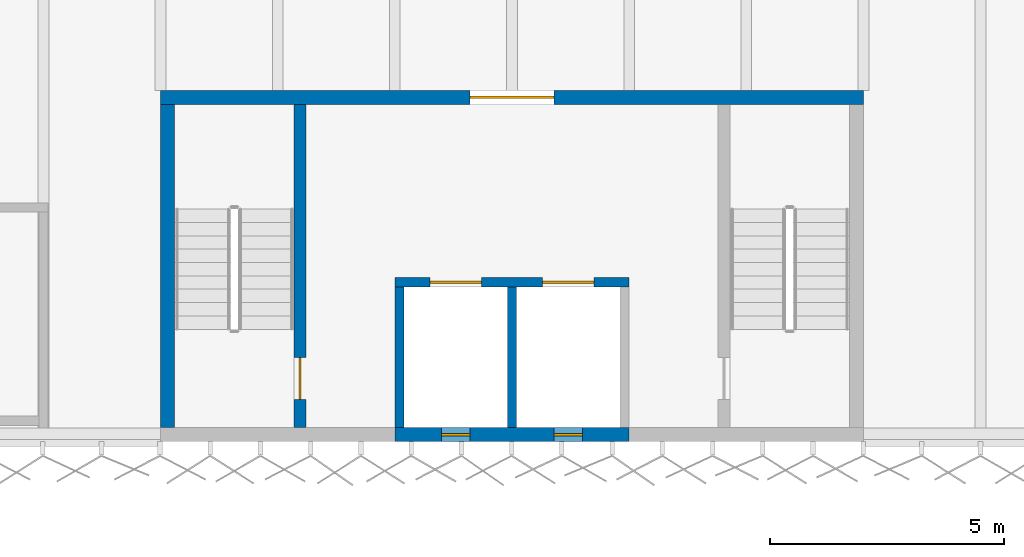
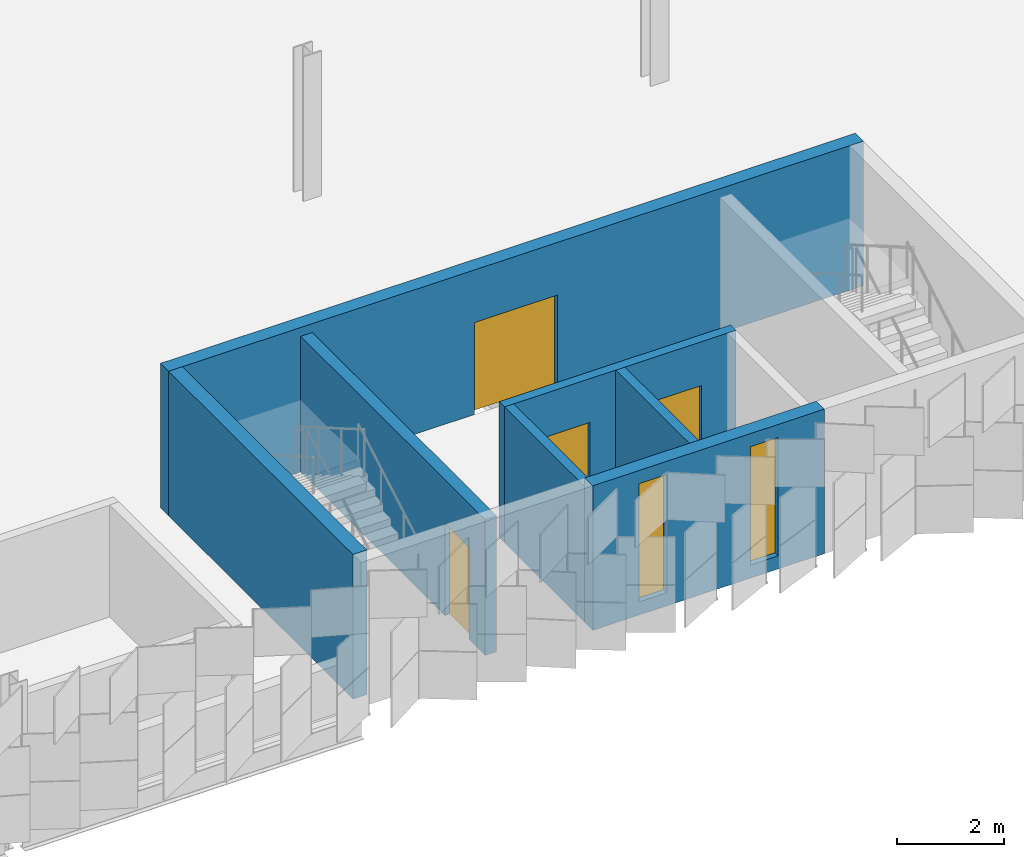
# One storey, part 51 of 198: 7 walls, 4 doors, 2 windows, 6 openings.
"""IFC4 building model written with IfcOpenShell, lengths in metres."""

from ifc_helpers import new_model, si_unit, direction, frame, frame_2d, origin, place, context, subcontext, project, spatial, rectangle, extrude, material, layer, layer_set, type_object, element, fill, save


model = new_model("IFC4")

# Units and contexts
model_context = context("Model", 3, precision=1e-05, world=origin(), true_north=direction((0.0, 1.0)))
body_context = subcontext(model_context, "Body", "Model", "MODEL_VIEW")
ifc_project = project(units=[si_unit("LENGTHUNIT", "METRE"), si_unit("AREAUNIT", "SQUARE_METRE"), si_unit("VOLUMEUNIT", "CUBIC_METRE"), si_unit("PLANEANGLEUNIT", "RADIAN"), si_unit("MASSUNIT", "GRAM", prefix="KILO")], contexts=[model_context])

# Site, building, storey
site_placement = place(None, origin())
site = spatial("IfcSite", under=ifc_project, at=site_placement, CompositionType="ELEMENT")
building_placement = place(site_placement, origin())
building = spatial("IfcBuilding", under=site, at=building_placement, Name="Parallax Yard Mobility Hub", CompositionType="ELEMENT")
storey_placement = place(building_placement, frame((0.0, 0.0, 6.60009765625)))
storey = spatial("IfcBuildingStorey", under=building, at=storey_placement, Name="L02", CompositionType="ELEMENT", Elevation=6.60009765625)

# Wall, opening, door
ifc_material_1 = material(Name="Concrete fc' 35 MPa", Category="concrete")
ifc_layer_1 = layer(ifc_material_1, 0.300048828125)
ifc_layer_set_1 = layer_set([ifc_layer_1], Name="Concrete fc' 35 MPa core wall 300")
wall_type_1 = type_object("IfcWallType", Name="Concrete fc' 35 MPa core wall 300", PredefinedType="SHEAR", material=ifc_layer_set_1)
wall_1_placement = place(storey_placement, frame((127.5, 119.85009765625, 0.0), z_axis=(0.0, 0.0, 1.0), x_axis=(1.0, 0.0, 0.0)))
wall_1 = element("IfcWall", 1, at=wall_1_placement, inside=storey, type_object=wall_type_1, Name="Core C-N2 entry wall level L02", PredefinedType="SHEAR", context=body_context, shape_type="SweptSolid", body=[
    extrude(rectangle(XDim=15.0, YDim=0.300048828125, at=frame_2d((7.5, 0.0))), origin(), (0.0, 0.0, 1.0), 3.2998046875),
])
opening_1_placement = place(wall_1_placement, frame((6.60009765625, 0.0, 0.0)))
opening_1 = element("IfcOpeningElement", 2, at=opening_1_placement, cuts=wall_1, Name="Opening L02-D714", PredefinedType="OPENING", context=body_context, shape_type="SweptSolid", body=[
    extrude(rectangle(XDim=1.800048828125, YDim=2.10009765625, at=frame_2d((0.89990234375, 1.050048828125))), frame((0.0, 0.16015625, 0.0), z_axis=(0.0, -1.0, 0.0), x_axis=(1.0, 0.0, 0.0)), (0.0, 0.0, 1.0), 0.320068359375),
])
ifc_material_2 = material(Name="Hollow metal steel door and frame", Category="steel")
door_type_1 = type_object("IfcDoorType", Name="Core double door 1800 x 2100 FD90", OperationType="NOTDEFINED", PredefinedType="DOOR", material=ifc_material_2)
door_1_placement = place(opening_1_placement, origin())
door_1 = element("IfcDoor", 3, at=door_1_placement, inside=storey, type_object=door_type_1, Name="Lift lobby door L02-D714, core C-N2 level L02", OperationType="DOUBLE_DOOR_SINGLE_SWING", OverallHeight=2.10009765625, OverallWidth=1.800048828125, PredefinedType="DOOR", context=body_context, shape_type="SweptSolid", body=[
    extrude(rectangle(XDim=1.800048828125, YDim=2.10009765625, at=frame_2d((0.89990234375, 1.050048828125))), frame((0.0, 0.02490234375, 0.0), z_axis=(0.0, -1.0, 0.0), x_axis=(1.0, 0.0, 0.0)), (0.0, 0.0, 1.0), 0.050048828125),
])
fill(opening_1, door_1)

# Wall, openings, windows
wall_2_placement = place(storey_placement, frame((137.5, 112.64990234375, 0.0), z_axis=(0.0, 0.0, 1.0), x_axis=(-1.0, 0.0, 0.0)))
wall_2 = element("IfcWall", 4, at=wall_2_placement, inside=storey, type_object=wall_type_1, Name="Core C-N2 back wall part 2 level L02", PredefinedType="SHEAR", context=body_context, shape_type="SweptSolid", body=[
    extrude(rectangle(XDim=5.0, YDim=0.300048828125, at=frame_2d((2.5, 0.0))), origin(), (0.0, 0.0, 1.0), 3.2998046875),
])
opening_2_placement = place(wall_2_placement, frame((1.0, 0.0, 0.300048828125)))
opening_2 = element("IfcOpeningElement", 5, at=opening_2_placement, cuts=wall_2, Name="Opening CW-S1", PredefinedType="OPENING", context=body_context, shape_type="SweptSolid", body=[
    extrude(rectangle(XDim=0.60009765625, YDim=2.699951171875, at=frame_2d((0.300048828125, 1.35009765625))), frame((0.0, 0.16015625, 0.0), z_axis=(0.0, -1.0, 0.0), x_axis=(1.0, 0.0, 0.0)), (0.0, 0.0, 1.0), 0.320068359375),
])
opening_3_placement = place(wall_2_placement, frame((3.39990234375, 0.0, 0.300048828125)))
opening_3 = element("IfcOpeningElement", 6, at=opening_3_placement, cuts=wall_2, Name="Opening CW-S1", PredefinedType="OPENING", context=body_context, shape_type="SweptSolid", body=[
    extrude(rectangle(XDim=0.60009765625, YDim=2.699951171875, at=frame_2d((0.300048828125, 1.35009765625))), frame((0.0, 0.16015625, 0.0), z_axis=(0.0, -1.0, 0.0), x_axis=(1.0, 0.0, 0.0)), (0.0, 0.0, 1.0), 0.320068359375),
])
ifc_material_3 = material(Name="Fire-resisting glazing in a steel frame", Category="steel")
window_type = type_object("IfcWindowType", Name="Core slot window 600 x 2700", PartitioningType="SINGLE_PANEL", PredefinedType="WINDOW", material=ifc_material_3)
window_1_placement = place(opening_2_placement, origin())
window_1 = element("IfcWindow", 7, at=window_1_placement, inside=storey, type_object=window_type, Name="Glazed slot 1, core C-N2 level L02", OverallHeight=2.699951171875, OverallWidth=0.60009765625, PartitioningType="SINGLE_PANEL", PredefinedType="WINDOW", context=body_context, shape_type="SweptSolid", body=[
    extrude(rectangle(XDim=0.60009765625, YDim=2.699951171875, at=frame_2d((0.300048828125, 1.35009765625))), frame((0.0, 0.030029296875, 0.0), z_axis=(0.0, -1.0, 0.0), x_axis=(1.0, 0.0, 0.0)), (0.0, 0.0, 1.0), 0.06005859375),
])
fill(opening_2, window_1)
window_2_placement = place(opening_3_placement, origin())
window_2 = element("IfcWindow", 8, at=window_2_placement, inside=storey, type_object=window_type, Name="Glazed slot 2, core C-N2 level L02", OverallHeight=2.699951171875, OverallWidth=0.60009765625, PartitioningType="SINGLE_PANEL", PredefinedType="WINDOW", context=body_context, shape_type="SweptSolid", body=[
    extrude(rectangle(XDim=0.60009765625, YDim=2.699951171875, at=frame_2d((0.300048828125, 1.35009765625))), frame((0.0, 0.030029296875, 0.0), z_axis=(0.0, -1.0, 0.0), x_axis=(1.0, 0.0, 0.0)), (0.0, 0.0, 1.0), 0.06005859375),
])
fill(opening_3, window_2)

# Wall
wall_3_placement = place(storey_placement, frame((127.64990234375, 119.699951171875, 0.0), z_axis=(0.0, 0.0, 1.0), x_axis=(0.0, -1.0, 0.0)))
element("IfcWall", 9, at=wall_3_placement, inside=storey, type_object=wall_type_1, Name="Core C-N2 east-side end wall level L02", PredefinedType="SHEAR", context=body_context, shape_type="SweptSolid", body=[
    extrude(rectangle(XDim=6.89990234375, YDim=0.300048828125, at=frame_2d((3.449951171875, 0.0))), origin(), (0.0, 0.0, 1.0), 3.2998046875),
])

# Wall, openings, doors
ifc_layer_2 = layer(ifc_material_1, 0.199951171875)
ifc_layer_set_2 = layer_set([ifc_layer_2], Name="Concrete fc' 35 MPa internal core wall 200")
wall_type_2 = type_object("IfcWallType", Name="Concrete fc' 35 MPa internal core wall 200", PredefinedType="STANDARD", material=ifc_layer_set_2)
wall_4_placement = place(storey_placement, frame((137.5, 115.89990234375, 0.0), z_axis=(0.0, 0.0, 1.0), x_axis=(-1.0, 0.0, 0.0)))
wall_4 = element("IfcWall", 10, at=wall_4_placement, inside=storey, type_object=wall_type_2, Name="Core C-N2 lift front 2 part 2 level L02", PredefinedType="STANDARD", context=body_context, shape_type="SweptSolid", body=[
    extrude(rectangle(XDim=5.0, YDim=0.199951171875, at=frame_2d((2.5, 0.0))), origin(), (0.0, 0.0, 1.0), 3.099853515625),
])
opening_4_placement = place(wall_4_placement, frame((0.75, 0.0, 0.0)))
opening_4 = element("IfcOpeningElement", 11, at=opening_4_placement, cuts=wall_4, Name="Opening L02-D717", PredefinedType="OPENING", context=body_context, shape_type="SweptSolid", body=[
    extrude(rectangle(XDim=1.10009765625, YDim=2.10009765625, at=frame_2d((0.550048828125, 1.050048828125))), frame((0.0, 0.10986328125, 0.0), z_axis=(0.0, -1.0, 0.0), x_axis=(1.0, 0.0, 0.0)), (0.0, 0.0, 1.0), 0.219970703125),
])
opening_5_placement = place(wall_4_placement, frame((3.14990234375, 0.0, 0.0)))
opening_5 = element("IfcOpeningElement", 12, at=opening_5_placement, cuts=wall_4, Name="Opening L02-D718", PredefinedType="OPENING", context=body_context, shape_type="SweptSolid", body=[
    extrude(rectangle(XDim=1.10009765625, YDim=2.10009765625, at=frame_2d((0.550048828125, 1.050048828125))), frame((0.0, 0.10986328125, 0.0), z_axis=(0.0, -1.0, 0.0), x_axis=(1.0, 0.0, 0.0)), (0.0, 0.0, 1.0), 0.219970703125),
])
ifc_material_4 = material(Name="Stainless steel sliding door and frame", Category="steel")
door_type_2 = type_object("IfcDoorType", Name="Lift landing door 1100 x 2100 FD90", OperationType="DOUBLE_DOOR_SLIDING", PredefinedType="DOOR", material=ifc_material_4)
door_2_placement = place(opening_4_placement, origin())
door_2 = element("IfcDoor", 13, at=door_2_placement, inside=storey, type_object=door_type_2, Name="Lift landing door L02-D717, core C-N2 level L02", OperationType="DOUBLE_DOOR_SLIDING", OverallHeight=2.10009765625, OverallWidth=1.10009765625, PredefinedType="DOOR", context=body_context, shape_type="SweptSolid", body=[
    extrude(rectangle(XDim=1.10009765625, YDim=2.10009765625, at=frame_2d((0.550048828125, 1.050048828125))), frame((0.0, 0.02490234375, 0.0), z_axis=(0.0, -1.0, 0.0), x_axis=(1.0, 0.0, 0.0)), (0.0, 0.0, 1.0), 0.050048828125),
])
fill(opening_4, door_2)
door_3_placement = place(opening_5_placement, origin())
door_3 = element("IfcDoor", 14, at=door_3_placement, inside=storey, type_object=door_type_2, Name="Lift landing door L02-D718, core C-N2 level L02", OperationType="DOUBLE_DOOR_SLIDING", OverallHeight=2.10009765625, OverallWidth=1.10009765625, PredefinedType="DOOR", context=body_context, shape_type="SweptSolid", body=[
    extrude(rectangle(XDim=1.10009765625, YDim=2.10009765625, at=frame_2d((0.550048828125, 1.050048828125))), frame((0.0, 0.02490234375, 0.0), z_axis=(0.0, -1.0, 0.0), x_axis=(1.0, 0.0, 0.0)), (0.0, 0.0, 1.0), 0.050048828125),
])
fill(opening_5, door_3)

# Walls
for number, where, z_axis, x_axis, name in (
    (15, (135.0, 115.800048828125, 0.0), (0.0, 0.0, 1.0), (0.0, -1.0, 0.0), "Core C-N2 lift wall 2 part 2 level L02"),
    (16, (132.60009765625, 115.800048828125, 0.0), (0.0, 0.0, 1.0), (0.0, -1.0, 0.0), "Core C-N2 lift wall 3 part 3 level L02"),
):
    element("IfcWall", number, at=place(storey_placement, frame(where, z_axis=z_axis, x_axis=x_axis)), inside=storey, type_object=wall_type_2, Name=name, PredefinedType="STANDARD", context=body_context, shape_type="SweptSolid", body=[
        extrude(rectangle(XDim=3.0, YDim=0.199951171875, at=frame_2d((1.5, 0.0))), origin(), (0.0, 0.0, 1.0), 3.099853515625),
    ])

# Wall, opening, door
ifc_layer_3 = layer(ifc_material_1, 0.25)
ifc_layer_set_3 = layer_set([ifc_layer_3], Name="Concrete fc' 35 MPa stair enclosure wall 250")
wall_type_3 = type_object("IfcWallType", Name="Concrete fc' 35 MPa stair enclosure wall 250", PredefinedType="STANDARD", material=ifc_layer_set_3)
wall_5_placement = place(storey_placement, frame((130.47509765625, 112.800048828125, 0.0), z_axis=(0.0, 0.0, 1.0), x_axis=(0.0, 1.0, 0.0)))
wall_5 = element("IfcWall", 17, at=wall_5_placement, inside=storey, type_object=wall_type_3, Name="Core C-N2 stair 2 partition level L02", PredefinedType="STANDARD", context=body_context, shape_type="SweptSolid", body=[
    extrude(rectangle(XDim=6.89990234375, YDim=0.25, at=frame_2d((3.449951171875, 0.0))), origin(), (0.0, 0.0, 1.0), 3.099853515625),
])
opening_6_placement = place(wall_5_placement, frame((0.60009765625, 0.0, 0.0)))
opening_6 = element("IfcOpeningElement", 18, at=opening_6_placement, cuts=wall_5, Name="Opening L02-D716", PredefinedType="OPENING", context=body_context, shape_type="SweptSolid", body=[
    extrude(rectangle(XDim=0.89990234375, YDim=2.10009765625, at=frame_2d((0.449951171875, 1.050048828125))), frame((0.0, 0.135009765625, 0.0), z_axis=(0.0, -1.0, 0.0), x_axis=(1.0, 0.0, 0.0)), (0.0, 0.0, 1.0), 0.27001953125),
])
door_type_3 = type_object("IfcDoorType", Name="Core door 900 x 2100 FD90", OperationType="NOTDEFINED", PredefinedType="DOOR", material=ifc_material_2)
door_4_placement = place(opening_6_placement, origin())
door_4 = element("IfcDoor", 19, at=door_4_placement, inside=storey, type_object=door_type_3, Name="Stair lobby door L02-D716, core C-N2 level L02", OperationType="SINGLE_SWING_RIGHT", OverallHeight=2.10009765625, OverallWidth=0.89990234375, PredefinedType="DOOR", context=body_context, shape_type="SweptSolid", body=[
    extrude(rectangle(XDim=0.89990234375, YDim=2.10009765625, at=frame_2d((0.449951171875, 1.050048828125))), frame((0.0, 0.02490234375, 0.0), z_axis=(0.0, -1.0, 0.0), x_axis=(1.0, 0.0, 0.0)), (0.0, 0.0, 1.0), 0.050048828125),
])
fill(opening_6, door_4)

save(model, "model.ifc")
